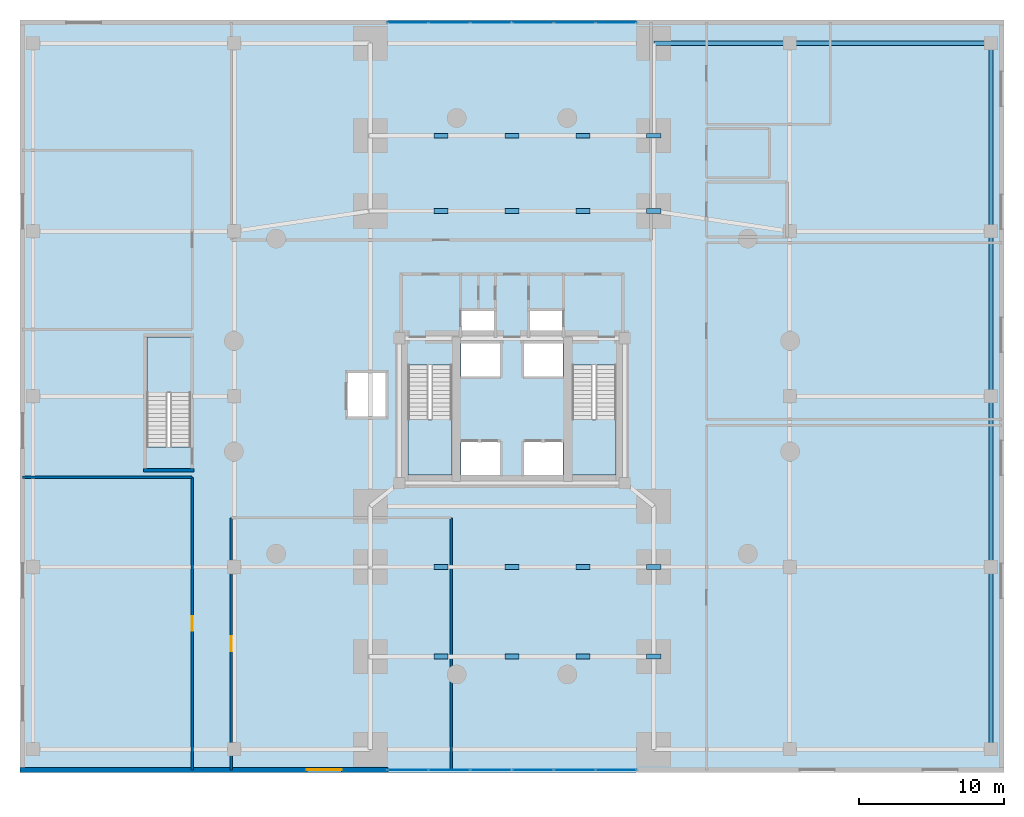
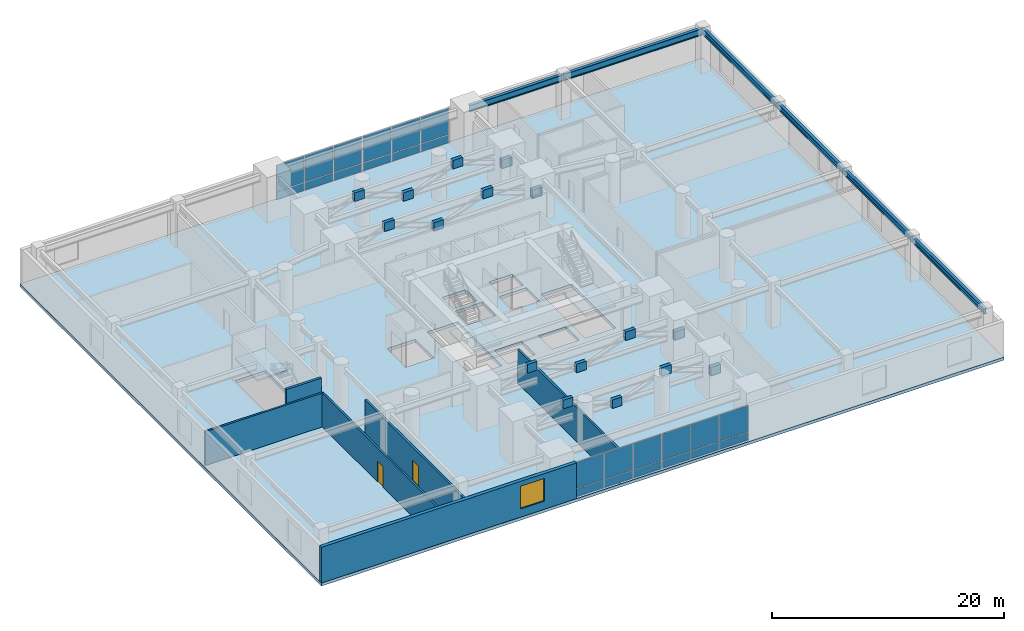
# One storey, part 13 of 17: 40 plates, 6 beams, 6 walls, 4 slabs, 2 doors, 1 window, 3 openings, 7 elements without a shape of their own.
"""IFC4 building model written with IfcOpenShell, lengths in metres."""

from ifc_helpers import new_model, si_unit, direction, frame, frame_2d, origin, origin_2d, place, context, subcontext, project, spatial, polyline, rectangle, i_section, outline, extrude, material, layer, layer_set, material_profile, profile_set, type_object, element, fill, aggregate, save


model = new_model("IFC4")

# Units and contexts
model_context = context("Model", 3, precision=1e-05, world=origin(), true_north=direction((0.0, 1.0)))
body_context = subcontext(model_context, "Body", "Model", "MODEL_VIEW")
ifc_project = project(units=[si_unit("LENGTHUNIT", "METRE"), si_unit("AREAUNIT", "SQUARE_METRE"), si_unit("VOLUMEUNIT", "CUBIC_METRE"), si_unit("PLANEANGLEUNIT", "RADIAN"), si_unit("MASSUNIT", "GRAM", prefix="KILO"), si_unit("THERMODYNAMICTEMPERATUREUNIT", "KELVIN"), si_unit("POWERUNIT", "WATT")], contexts=[model_context])

# Site, building, storey
site_placement = place(None, origin())
site = spatial("IfcSite", under=ifc_project, at=site_placement, CompositionType="ELEMENT")
building_placement = place(site_placement, origin())
building = spatial("IfcBuilding", under=site, at=building_placement, Name="Ocrelia Relay Tower", CompositionType="ELEMENT")
storey_placement = place(building_placement, frame((0.0, 0.0, 20.39990234375)))
storey = spatial("IfcBuildingStorey", under=building, at=storey_placement, Name="L04", CompositionType="ELEMENT", Elevation=20.39990234375)

# Beams
ifc_material_1 = material(Name="Steel S355", Category="steel")
ifc_material_profile_1 = material_profile(ifc_material_1, i_section(OverallWidth=0.300048828125, OverallDepth=0.60009765625, WebThickness=0.015380859375, FlangeThickness=0.030029296875, FilletRadius=0.027099609375, at=origin_2d()), Name="HEB 600")
ifc_profile_set_1 = profile_set([ifc_material_profile_1], Name="Steel S355")
beam_type_1 = type_object("IfcBeamType", Name="BM-HEB600", PredefinedType="BEAM", material=ifc_profile_set_1)
beam_1_placement = place(storey_placement, frame((67.10009765625, 1.60009765625, 4.18017578125), z_axis=(0.0, 1.0, 0.0), x_axis=(-1.0, 0.0, 0.0)))
element("IfcBeam", 1, at=beam_1_placement, inside=storey, type_object=beam_type_1, Name="L04 Podium Span Girder E-1", PredefinedType="BEAM", context=body_context, shape_type="SweptSolid", body=[
    extrude(i_section(OverallWidth=0.300048828125, OverallDepth=0.60009765625, WebThickness=0.015380859375, FlangeThickness=0.030029296875, FilletRadius=0.027099609375, at=origin_2d()), origin(), (0.0, 0.0, 1.0), 12.599853515625),
])
beam_2_placement = place(storey_placement, frame((67.10009765625, 14.199951171875, 4.18017578125), z_axis=(0.0, 1.0, 0.0), x_axis=(-1.0, 0.0, 0.0)))
element("IfcBeam", 2, at=beam_2_placement, inside=storey, type_object=beam_type_1, Name="L04 Podium Span Girder E-2", PredefinedType="BEAM", context=body_context, shape_type="SweptSolid", body=[
    extrude(i_section(OverallWidth=0.300048828125, OverallDepth=0.60009765625, WebThickness=0.015380859375, FlangeThickness=0.030029296875, FilletRadius=0.027099609375, at=origin_2d()), origin(), (0.0, 0.0, 1.0), 11.800048828125),
])
beam_3_placement = place(storey_placement, frame((67.10009765625, 26.0, 4.18017578125), z_axis=(0.0, 1.0, 0.0), x_axis=(-1.0, 0.0, 0.0)))
element("IfcBeam", 3, at=beam_3_placement, inside=storey, type_object=beam_type_1, Name="L04 Podium Span Girder E-3", PredefinedType="BEAM", context=body_context, shape_type="SweptSolid", body=[
    extrude(i_section(OverallWidth=0.300048828125, OverallDepth=0.60009765625, WebThickness=0.015380859375, FlangeThickness=0.030029296875, FilletRadius=0.027099609375, at=origin_2d()), origin(), (0.0, 0.0, 1.0), 11.39990234375),
])
beam_4_placement = place(storey_placement, frame((67.10009765625, 37.39990234375, 4.18017578125), z_axis=(0.0, 1.0, 0.0), x_axis=(-1.0, 0.0, 0.0)))
element("IfcBeam", 4, at=beam_4_placement, inside=storey, type_object=beam_type_1, Name="L04 Podium Span Girder E-4", PredefinedType="BEAM", context=body_context, shape_type="SweptSolid", body=[
    extrude(i_section(OverallWidth=0.300048828125, OverallDepth=0.60009765625, WebThickness=0.015380859375, FlangeThickness=0.030029296875, FilletRadius=0.027099609375, at=origin_2d()), origin(), (0.0, 0.0, 1.0), 13.0),
])
ifc_material_profile_2 = material_profile(ifc_material_1, i_section(OverallWidth=0.300048828125, OverallDepth=0.699951171875, WebThickness=0.01708984375, FlangeThickness=0.031982421875, FilletRadius=0.027099609375, at=origin_2d()), Name="HEB 700")
ifc_profile_set_2 = profile_set([ifc_material_profile_2], Name="Steel S355")
beam_type_2 = type_object("IfcBeamType", Name="BM-HEB700", PredefinedType="BEAM", material=ifc_profile_set_2)
beam_5_placement = place(storey_placement, frame((43.800048828125, 50.39990234375, 4.130126953125), z_axis=(1.0, 0.0, 0.0), x_axis=(0.0, 1.0, 0.0)))
element("IfcBeam", 5, at=beam_5_placement, inside=storey, type_object=beam_type_2, Name="L04 East Inner Podium Girder N", PredefinedType="BEAM", context=body_context, shape_type="SweptSolid", body=[
    extrude(i_section(OverallWidth=0.300048828125, OverallDepth=0.699951171875, WebThickness=0.01708984375, FlangeThickness=0.031982421875, FilletRadius=0.027099609375, at=origin_2d()), origin(), (0.0, 0.0, 1.0), 9.39990234375),
])
beam_6_placement = place(storey_placement, frame((53.199951171875, 50.39990234375, 4.130126953125), z_axis=(1.0, 0.0, 0.0), x_axis=(0.0, 1.0, 0.0)))
element("IfcBeam", 6, at=beam_6_placement, inside=storey, type_object=beam_type_2, Name="L04 East Outer Podium Girder N", PredefinedType="BEAM", context=body_context, shape_type="SweptSolid", body=[
    extrude(i_section(OverallWidth=0.300048828125, OverallDepth=0.699951171875, WebThickness=0.01708984375, FlangeThickness=0.031982421875, FilletRadius=0.027099609375, at=origin_2d()), origin(), (0.0, 0.0, 1.0), 13.900146484375),
])

# Curtain wall, plates
ifc_material_2 = material(Name="Aluminium and solar-control low-E glass", Category="aluminium")
ifc_layer_1 = layer(ifc_material_2, 0.179931640625, Name="Aluminium and solar-control low-E glass")
ifc_layer_set_1 = layer_set([ifc_layer_1], Name="Aluminium and solar-control low-E glass")
curtain_wall_type = type_object("IfcCurtainWallType", Name="CW-SYS-POD-GALL", PredefinedType="NOTDEFINED", material=ifc_layer_set_1)
curtain_wall_1_placement = place(storey_placement, origin())
curtain_wall_1 = element("IfcCurtainWall", 7, at=curtain_wall_1_placement, inside=storey, type_object=curtain_wall_type, Name="L04 South Over-Arch Curtain Wall West", PredefinedType="NOTDEFINED")
ifc_material_3 = material(Name="Clear double-glazed low-E glass", Category="glass")
ifc_layer_2 = layer(ifc_material_3, 0.031982421875, Name="Clear double-glazed low-E glass")
ifc_layer_set_2 = layer_set([ifc_layer_2], Name="Clear double-glazed low-E glass")
plate_type_1 = type_object("IfcPlateType", Name="CW-SYS-POD-GALL-PNL", PredefinedType="CURTAIN_PANEL", material=ifc_layer_set_2)
plate_1_placement = place(storey_placement, frame((26.80908203125, 0.179931640625, 0.06494140625), z_axis=(0.0, 0.0, 1.0), x_axis=(1.0, 0.0, 0.0)))
plate_1 = element("IfcPlate", 8, at=plate_1_placement, type_object=plate_type_1, Name="CW-PG panel 1.1", PredefinedType="CURTAIN_PANEL", context=body_context, shape_type="SweptSolid", body=[
    extrude(rectangle(XDim=2.7783203125, YDim=0.031982421875, at=origin_2d()), origin(), (0.0, 0.0, 1.0), 0.802490234375),
])
plate_2_placement = place(storey_placement, frame((26.80908203125, 0.179931640625, 0.9326171875), z_axis=(0.0, 0.0, 1.0), x_axis=(1.0, 0.0, 0.0)))
plate_2 = element("IfcPlate", 9, at=plate_2_placement, type_object=plate_type_1, Name="CW-PG panel 1.2", PredefinedType="CURTAIN_PANEL", context=body_context, shape_type="SweptSolid", body=[
    extrude(rectangle(XDim=2.7783203125, YDim=0.031982421875, at=origin_2d()), origin(), (0.0, 0.0, 1.0), 2.762451171875),
])
plate_3_placement = place(storey_placement, frame((29.675048828125, 0.179931640625, 0.06494140625), z_axis=(0.0, 0.0, 1.0), x_axis=(1.0, 0.0, 0.0)))
plate_3 = element("IfcPlate", 10, at=plate_3_placement, type_object=plate_type_1, Name="CW-PG panel 2.1", PredefinedType="CURTAIN_PANEL", context=body_context, shape_type="SweptSolid", body=[
    extrude(rectangle(XDim=2.813232421875, YDim=0.031982421875, at=origin_2d()), origin(), (0.0, 0.0, 1.0), 0.802490234375),
])
plate_4_placement = place(storey_placement, frame((29.675048828125, 0.179931640625, 0.9326171875), z_axis=(0.0, 0.0, 1.0), x_axis=(1.0, 0.0, 0.0)))
plate_4 = element("IfcPlate", 11, at=plate_4_placement, type_object=plate_type_1, Name="CW-PG panel 2.2", PredefinedType="CURTAIN_PANEL", context=body_context, shape_type="SweptSolid", body=[
    extrude(rectangle(XDim=2.813232421875, YDim=0.031982421875, at=origin_2d()), origin(), (0.0, 0.0, 1.0), 2.762451171875),
])
plate_5_placement = place(storey_placement, frame((32.540771484375, 0.179931640625, 0.06494140625), z_axis=(0.0, 0.0, 1.0), x_axis=(1.0, 0.0, 0.0)))
plate_5 = element("IfcPlate", 12, at=plate_5_placement, type_object=plate_type_1, Name="CW-PG panel 3.1", PredefinedType="CURTAIN_PANEL", context=body_context, shape_type="SweptSolid", body=[
    extrude(rectangle(XDim=2.7783203125, YDim=0.031982421875, at=origin_2d()), origin(), (0.0, 0.0, 1.0), 0.802490234375),
])
plate_6_placement = place(storey_placement, frame((32.540771484375, 0.179931640625, 0.9326171875), z_axis=(0.0, 0.0, 1.0), x_axis=(1.0, 0.0, 0.0)))
plate_6 = element("IfcPlate", 13, at=plate_6_placement, type_object=plate_type_1, Name="CW-PG panel 3.2", PredefinedType="CURTAIN_PANEL", context=body_context, shape_type="SweptSolid", body=[
    extrude(rectangle(XDim=2.7783203125, YDim=0.031982421875, at=origin_2d()), origin(), (0.0, 0.0, 1.0), 2.762451171875),
])
aggregate(curtain_wall_1, [plate_1, plate_2, plate_3, plate_4, plate_5, plate_6])

curtain_wall_2_placement = place(storey_placement, origin())
curtain_wall_2 = element("IfcCurtainWall", 14, at=curtain_wall_2_placement, inside=storey, type_object=curtain_wall_type, Name="L04 South Over-Arch Curtain Wall East", PredefinedType="NOTDEFINED")
plate_7_placement = place(storey_placement, frame((35.459228515625, 0.179931640625, 0.06494140625), z_axis=(0.0, 0.0, 1.0), x_axis=(1.0, 0.0, 0.0)))
plate_7 = element("IfcPlate", 15, at=plate_7_placement, type_object=plate_type_1, Name="CW-PG panel 1.1", PredefinedType="CURTAIN_PANEL", context=body_context, shape_type="SweptSolid", body=[
    extrude(rectangle(XDim=2.7783203125, YDim=0.031982421875, at=origin_2d()), origin(), (0.0, 0.0, 1.0), 0.802490234375),
])
plate_8_placement = place(storey_placement, frame((35.459228515625, 0.179931640625, 0.9326171875), z_axis=(0.0, 0.0, 1.0), x_axis=(1.0, 0.0, 0.0)))
plate_8 = element("IfcPlate", 16, at=plate_8_placement, type_object=plate_type_1, Name="CW-PG panel 1.2", PredefinedType="CURTAIN_PANEL", context=body_context, shape_type="SweptSolid", body=[
    extrude(rectangle(XDim=2.7783203125, YDim=0.031982421875, at=origin_2d()), origin(), (0.0, 0.0, 1.0), 2.762451171875),
])
plate_9_placement = place(storey_placement, frame((38.324951171875, 0.179931640625, 0.06494140625), z_axis=(0.0, 0.0, 1.0), x_axis=(1.0, 0.0, 0.0)))
plate_9 = element("IfcPlate", 17, at=plate_9_placement, type_object=plate_type_1, Name="CW-PG panel 2.1", PredefinedType="CURTAIN_PANEL", context=body_context, shape_type="SweptSolid", body=[
    extrude(rectangle(XDim=2.813232421875, YDim=0.031982421875, at=origin_2d()), origin(), (0.0, 0.0, 1.0), 0.802490234375),
])
plate_10_placement = place(storey_placement, frame((38.324951171875, 0.179931640625, 0.9326171875), z_axis=(0.0, 0.0, 1.0), x_axis=(1.0, 0.0, 0.0)))
plate_10 = element("IfcPlate", 18, at=plate_10_placement, type_object=plate_type_1, Name="CW-PG panel 2.2", PredefinedType="CURTAIN_PANEL", context=body_context, shape_type="SweptSolid", body=[
    extrude(rectangle(XDim=2.813232421875, YDim=0.031982421875, at=origin_2d()), origin(), (0.0, 0.0, 1.0), 2.762451171875),
])
plate_11_placement = place(storey_placement, frame((41.19091796875, 0.179931640625, 0.06494140625), z_axis=(0.0, 0.0, 1.0), x_axis=(1.0, 0.0, 0.0)))
plate_11 = element("IfcPlate", 19, at=plate_11_placement, type_object=plate_type_1, Name="CW-PG panel 3.1", PredefinedType="CURTAIN_PANEL", context=body_context, shape_type="SweptSolid", body=[
    extrude(rectangle(XDim=2.7783203125, YDim=0.031982421875, at=origin_2d()), origin(), (0.0, 0.0, 1.0), 0.802490234375),
])
plate_12_placement = place(storey_placement, frame((41.19091796875, 0.179931640625, 0.9326171875), z_axis=(0.0, 0.0, 1.0), x_axis=(1.0, 0.0, 0.0)))
plate_12 = element("IfcPlate", 20, at=plate_12_placement, type_object=plate_type_1, Name="CW-PG panel 3.2", PredefinedType="CURTAIN_PANEL", context=body_context, shape_type="SweptSolid", body=[
    extrude(rectangle(XDim=2.7783203125, YDim=0.031982421875, at=origin_2d()), origin(), (0.0, 0.0, 1.0), 2.762451171875),
])
aggregate(curtain_wall_2, [plate_7, plate_8, plate_9, plate_10, plate_11, plate_12])

curtain_wall_3_placement = place(storey_placement, origin())
curtain_wall_3 = element("IfcCurtainWall", 21, at=curtain_wall_3_placement, inside=storey, type_object=curtain_wall_type, Name="L04 North Over-Arch Curtain Wall West", PredefinedType="NOTDEFINED")
plate_13_placement = place(storey_placement, frame((26.80908203125, 51.820068359375, 0.06494140625), z_axis=(0.0, 0.0, 1.0), x_axis=(1.0, 0.0, 0.0)))
plate_13 = element("IfcPlate", 22, at=plate_13_placement, type_object=plate_type_1, Name="CW-PG panel 1.1", PredefinedType="CURTAIN_PANEL", context=body_context, shape_type="SweptSolid", body=[
    extrude(rectangle(XDim=2.7783203125, YDim=0.031982421875, at=origin_2d()), origin(), (0.0, 0.0, 1.0), 0.802490234375),
])
plate_14_placement = place(storey_placement, frame((26.80908203125, 51.820068359375, 0.9326171875), z_axis=(0.0, 0.0, 1.0), x_axis=(1.0, 0.0, 0.0)))
plate_14 = element("IfcPlate", 23, at=plate_14_placement, type_object=plate_type_1, Name="CW-PG panel 1.2", PredefinedType="CURTAIN_PANEL", context=body_context, shape_type="SweptSolid", body=[
    extrude(rectangle(XDim=2.7783203125, YDim=0.031982421875, at=origin_2d()), origin(), (0.0, 0.0, 1.0), 2.762451171875),
])
plate_15_placement = place(storey_placement, frame((29.675048828125, 51.820068359375, 0.06494140625), z_axis=(0.0, 0.0, 1.0), x_axis=(1.0, 0.0, 0.0)))
plate_15 = element("IfcPlate", 24, at=plate_15_placement, type_object=plate_type_1, Name="CW-PG panel 2.1", PredefinedType="CURTAIN_PANEL", context=body_context, shape_type="SweptSolid", body=[
    extrude(rectangle(XDim=2.813232421875, YDim=0.031982421875, at=origin_2d()), origin(), (0.0, 0.0, 1.0), 0.802490234375),
])
plate_16_placement = place(storey_placement, frame((29.675048828125, 51.820068359375, 0.9326171875), z_axis=(0.0, 0.0, 1.0), x_axis=(1.0, 0.0, 0.0)))
plate_16 = element("IfcPlate", 25, at=plate_16_placement, type_object=plate_type_1, Name="CW-PG panel 2.2", PredefinedType="CURTAIN_PANEL", context=body_context, shape_type="SweptSolid", body=[
    extrude(rectangle(XDim=2.813232421875, YDim=0.031982421875, at=origin_2d()), origin(), (0.0, 0.0, 1.0), 2.762451171875),
])
plate_17_placement = place(storey_placement, frame((32.540771484375, 51.820068359375, 0.06494140625), z_axis=(0.0, 0.0, 1.0), x_axis=(1.0, 0.0, 0.0)))
plate_17 = element("IfcPlate", 26, at=plate_17_placement, type_object=plate_type_1, Name="CW-PG panel 3.1", PredefinedType="CURTAIN_PANEL", context=body_context, shape_type="SweptSolid", body=[
    extrude(rectangle(XDim=2.7783203125, YDim=0.031982421875, at=origin_2d()), origin(), (0.0, 0.0, 1.0), 0.802490234375),
])
plate_18_placement = place(storey_placement, frame((32.540771484375, 51.820068359375, 0.9326171875), z_axis=(0.0, 0.0, 1.0), x_axis=(1.0, 0.0, 0.0)))
plate_18 = element("IfcPlate", 27, at=plate_18_placement, type_object=plate_type_1, Name="CW-PG panel 3.2", PredefinedType="CURTAIN_PANEL", context=body_context, shape_type="SweptSolid", body=[
    extrude(rectangle(XDim=2.7783203125, YDim=0.031982421875, at=origin_2d()), origin(), (0.0, 0.0, 1.0), 2.762451171875),
])
aggregate(curtain_wall_3, [plate_13, plate_14, plate_15, plate_16, plate_17, plate_18])

curtain_wall_4_placement = place(storey_placement, origin())
curtain_wall_4 = element("IfcCurtainWall", 28, at=curtain_wall_4_placement, inside=storey, type_object=curtain_wall_type, Name="L04 North Over-Arch Curtain Wall East", PredefinedType="NOTDEFINED")
plate_19_placement = place(storey_placement, frame((35.459228515625, 51.820068359375, 0.06494140625), z_axis=(0.0, 0.0, 1.0), x_axis=(1.0, 0.0, 0.0)))
plate_19 = element("IfcPlate", 29, at=plate_19_placement, type_object=plate_type_1, Name="CW-PG panel 1.1", PredefinedType="CURTAIN_PANEL", context=body_context, shape_type="SweptSolid", body=[
    extrude(rectangle(XDim=2.7783203125, YDim=0.031982421875, at=origin_2d()), origin(), (0.0, 0.0, 1.0), 0.802490234375),
])
plate_20_placement = place(storey_placement, frame((35.459228515625, 51.820068359375, 0.9326171875), z_axis=(0.0, 0.0, 1.0), x_axis=(1.0, 0.0, 0.0)))
plate_20 = element("IfcPlate", 30, at=plate_20_placement, type_object=plate_type_1, Name="CW-PG panel 1.2", PredefinedType="CURTAIN_PANEL", context=body_context, shape_type="SweptSolid", body=[
    extrude(rectangle(XDim=2.7783203125, YDim=0.031982421875, at=origin_2d()), origin(), (0.0, 0.0, 1.0), 2.762451171875),
])
plate_21_placement = place(storey_placement, frame((38.324951171875, 51.820068359375, 0.06494140625), z_axis=(0.0, 0.0, 1.0), x_axis=(1.0, 0.0, 0.0)))
plate_21 = element("IfcPlate", 31, at=plate_21_placement, type_object=plate_type_1, Name="CW-PG panel 2.1", PredefinedType="CURTAIN_PANEL", context=body_context, shape_type="SweptSolid", body=[
    extrude(rectangle(XDim=2.813232421875, YDim=0.031982421875, at=origin_2d()), origin(), (0.0, 0.0, 1.0), 0.802490234375),
])
plate_22_placement = place(storey_placement, frame((38.324951171875, 51.820068359375, 0.9326171875), z_axis=(0.0, 0.0, 1.0), x_axis=(1.0, 0.0, 0.0)))
plate_22 = element("IfcPlate", 32, at=plate_22_placement, type_object=plate_type_1, Name="CW-PG panel 2.2", PredefinedType="CURTAIN_PANEL", context=body_context, shape_type="SweptSolid", body=[
    extrude(rectangle(XDim=2.813232421875, YDim=0.031982421875, at=origin_2d()), origin(), (0.0, 0.0, 1.0), 2.762451171875),
])
plate_23_placement = place(storey_placement, frame((41.19091796875, 51.820068359375, 0.06494140625), z_axis=(0.0, 0.0, 1.0), x_axis=(1.0, 0.0, 0.0)))
plate_23 = element("IfcPlate", 33, at=plate_23_placement, type_object=plate_type_1, Name="CW-PG panel 3.1", PredefinedType="CURTAIN_PANEL", context=body_context, shape_type="SweptSolid", body=[
    extrude(rectangle(XDim=2.7783203125, YDim=0.031982421875, at=origin_2d()), origin(), (0.0, 0.0, 1.0), 0.802490234375),
])
plate_24_placement = place(storey_placement, frame((41.19091796875, 51.820068359375, 0.9326171875), z_axis=(0.0, 0.0, 1.0), x_axis=(1.0, 0.0, 0.0)))
plate_24 = element("IfcPlate", 34, at=plate_24_placement, type_object=plate_type_1, Name="CW-PG panel 3.2", PredefinedType="CURTAIN_PANEL", context=body_context, shape_type="SweptSolid", body=[
    extrude(rectangle(XDim=2.7783203125, YDim=0.031982421875, at=origin_2d()), origin(), (0.0, 0.0, 1.0), 2.762451171875),
])
aggregate(curtain_wall_4, [plate_19, plate_20, plate_21, plate_22, plate_23, plate_24])

# Plates
ifc_layer_3 = layer(ifc_material_1, 0.035888671875, Name="Steel S355")
ifc_layer_set_3 = layer_set([ifc_layer_3], Name="Steel S355")
plate_type_2 = type_object("IfcPlateType", Name="PL-NODE-ND-02", PredefinedType="USERDEFINED", material=ifc_layer_set_3)
for number, where, z_axis, x_axis, name in (
    (35, (29.10009765625, 8.0, 3.580078125), (0.0, 0.0, 1.0), (1.0, 0.0, 0.0), "L04 Warren Truss Node Plate ND-02 (S-1)"),
    (36, (34.0, 8.0, 1.900146484375), (0.0, 0.0, 1.0), (1.0, 0.0, 0.0), "L04 Warren Truss Node Plate ND-02 (S-2)"),
    (37, (38.89990234375, 8.0, 3.580078125), (0.0, 0.0, 1.0), (1.0, 0.0, 0.0), "L04 Warren Truss Node Plate ND-02 (S-3)"),
    (38, (43.800048828125, 8.0, 1.900146484375), (0.0, 0.0, 1.0), (1.0, 0.0, 0.0), "L04 Warren Truss Node Plate ND-02 (S-4)"),
    (39, (29.10009765625, 14.199951171875, 3.580078125), (0.0, 0.0, 1.0), (1.0, 0.0, 0.0), "L04 Warren Truss Node Plate ND-02 (SI-1)"),
    (40, (34.0, 14.199951171875, 1.900146484375), (0.0, 0.0, 1.0), (1.0, 0.0, 0.0), "L04 Warren Truss Node Plate ND-02 (SI-2)"),
    (41, (38.89990234375, 14.199951171875, 3.580078125), (0.0, 0.0, 1.0), (1.0, 0.0, 0.0), "L04 Warren Truss Node Plate ND-02 (SI-3)"),
    (42, (43.800048828125, 14.199951171875, 1.900146484375), (0.0, 0.0, 1.0), (1.0, 0.0, 0.0), "L04 Warren Truss Node Plate ND-02 (SI-4)"),
    (43, (29.10009765625, 38.800048828125, 3.580078125), (0.0, 0.0, 1.0), (1.0, 0.0, 0.0), "L04 Warren Truss Node Plate ND-02 (NI-1)"),
    (44, (34.0, 38.800048828125, 1.900146484375), (0.0, 0.0, 1.0), (1.0, 0.0, 0.0), "L04 Warren Truss Node Plate ND-02 (NI-2)"),
    (45, (38.89990234375, 38.800048828125, 3.580078125), (0.0, 0.0, 1.0), (1.0, 0.0, 0.0), "L04 Warren Truss Node Plate ND-02 (NI-3)"),
    (46, (43.800048828125, 38.800048828125, 1.900146484375), (0.0, 0.0, 1.0), (1.0, 0.0, 0.0), "L04 Warren Truss Node Plate ND-02 (NI-4)"),
    (47, (29.10009765625, 44.0, 3.580078125), (0.0, 0.0, 1.0), (1.0, 0.0, 0.0), "L04 Warren Truss Node Plate ND-02 (N-1)"),
    (48, (34.0, 44.0, 1.900146484375), (0.0, 0.0, 1.0), (1.0, 0.0, 0.0), "L04 Warren Truss Node Plate ND-02 (N-2)"),
    (49, (38.89990234375, 44.0, 3.580078125), (0.0, 0.0, 1.0), (1.0, 0.0, 0.0), "L04 Warren Truss Node Plate ND-02 (N-3)"),
    (50, (43.800048828125, 44.0, 1.900146484375), (0.0, 0.0, 1.0), (1.0, 0.0, 0.0), "L04 Warren Truss Node Plate ND-02 (N-4)"),
):
    element("IfcPlate", number, at=place(storey_placement, frame(where, z_axis=z_axis, x_axis=x_axis)), inside=storey, type_object=plate_type_2, Name=name, ObjectType="GUSSET PLATE", PredefinedType="USERDEFINED", context=body_context, shape_type="SweptSolid", body=[
        extrude(rectangle(XDim=0.97998046875, YDim=0.340087890625, at=origin_2d()), origin(), (0.0, 0.0, 1.0), 0.89990234375),
    ])

# Slab
ifc_material_4 = material(Name="Concrete C50/60", Category="concrete")
ifc_layer_4 = layer(ifc_material_4, 0.320068359375, Name="Concrete C50/60")
ifc_layer_set_4 = layer_set([ifc_layer_4], Name="Concrete C50/60")
slab_type_1 = type_object("IfcSlabType", Name="SL-FLR-320", PredefinedType="FLOOR", material=ifc_layer_set_4)
slab_1_placement = place(storey_placement, frame((0.0, 0.0, -0.31982421875)))
element("IfcSlab", 51, at=slab_1_placement, inside=storey, type_object=slab_type_1, Name="L04 Podium Structural Slab", PredefinedType="FLOOR", context=body_context, shape_type="SweptSolid", body=[
    extrude(outline(polyline([(0.0, 0.0), (68.0, 0.0), (68.0, 52.0), (0.0, 52.0), (0.0, 0.0)]), holes=[polyline([(26.81005859375, 28.14990234375), (26.81005859375, 20.550048828125), (29.85009765625, 20.550048828125), (29.85009765625, 28.14990234375), (26.81005859375, 28.14990234375)]), polyline([(38.159912109375, 28.14990234375), (38.159912109375, 20.550048828125), (41.199951171875, 20.550048828125), (41.199951171875, 28.14990234375), (38.159912109375, 28.14990234375)]), polyline([(11.800048828125, 22.5), (11.800048828125, 30.10009765625), (8.760009765625, 30.10009765625), (8.760009765625, 22.5), (11.800048828125, 22.5)]), polyline([(30.4599609375, 20.550048828125), (33.159912109375, 20.550048828125), (33.159912109375, 22.85009765625), (30.4599609375, 22.85009765625), (30.4599609375, 20.550048828125)]), polyline([(34.840087890625, 20.550048828125), (37.5400390625, 20.550048828125), (37.5400390625, 22.85009765625), (34.840087890625, 22.85009765625), (34.840087890625, 20.550048828125)]), polyline([(30.4599609375, 27.35009765625), (33.159912109375, 27.35009765625), (33.159912109375, 29.64990234375), (30.4599609375, 29.64990234375), (30.4599609375, 27.35009765625)]), polyline([(34.840087890625, 27.35009765625), (37.5400390625, 27.35009765625), (37.5400390625, 29.64990234375), (34.840087890625, 29.64990234375), (34.840087890625, 27.35009765625)]), polyline([(30.5, 30.10009765625), (32.85009765625, 30.10009765625), (32.85009765625, 32.0), (30.5, 32.0), (30.5, 30.10009765625)]), polyline([(35.14990234375, 30.10009765625), (37.5, 30.10009765625), (37.5, 32.0), (35.14990234375, 32.0), (35.14990234375, 30.10009765625)]), polyline([(22.550048828125, 24.5), (25.35009765625, 24.5), (25.35009765625, 27.699951171875), (22.550048828125, 27.699951171875), (22.550048828125, 24.5)])]), origin(), (0.0, 0.0, 1.0), 0.31982421875),
])

# Stair, slab
stair_type = type_object("IfcStairType", Name="ST-DL-1420-R171", PredefinedType="HALF_TURN_STAIR", material=ifc_material_4)
stair_1_placement = place(storey_placement, origin())
stair_1 = element("IfcStair", 52, at=stair_1_placement, inside=storey, type_object=stair_type, Name="L04 West Core Exit Stair ST1", PredefinedType="HALF_TURN_STAIR")
ifc_layer_5 = layer(ifc_material_4, 0.199951171875, Name="Concrete C50/60")
ifc_layer_set_5 = layer_set([ifc_layer_5], Name="Concrete C50/60")
slab_type_2 = type_object("IfcSlabType", Name="SL-LANDING-200", PredefinedType="LANDING", material=ifc_layer_set_5)
slab_2_placement = place(storey_placement, frame((0.0, 0.0, 2.2001953125)))
slab_2 = element("IfcSlab", 53, at=slab_2_placement, type_object=slab_type_2, Name="ST1 landing 1", PredefinedType="LANDING", context=body_context, shape_type="SweptSolid", body=[
    extrude(outline(polyline([(26.81005859375, 24.3798828125), (26.81005859375, 20.550048828125), (29.85009765625, 20.550048828125), (29.85009765625, 24.3798828125), (26.81005859375, 24.3798828125)])), origin(), (0.0, 0.0, 1.0), 0.199951171875),
])
aggregate(stair_1, [slab_2])

stair_2_placement = place(storey_placement, origin())
stair_2 = element("IfcStair", 54, at=stair_2_placement, inside=storey, type_object=stair_type, Name="L04 East Core Exit Stair ST2", PredefinedType="HALF_TURN_STAIR")
slab_3_placement = place(storey_placement, frame((0.0, 0.0, 2.2001953125)))
slab_3 = element("IfcSlab", 55, at=slab_3_placement, type_object=slab_type_2, Name="ST2 landing 1", PredefinedType="LANDING", context=body_context, shape_type="SweptSolid", body=[
    extrude(outline(polyline([(38.159912109375, 24.3798828125), (38.159912109375, 20.550048828125), (41.199951171875, 20.550048828125), (41.199951171875, 24.3798828125), (38.159912109375, 24.3798828125)])), origin(), (0.0, 0.0, 1.0), 0.199951171875),
])
aggregate(stair_2, [slab_3])

stair_3_placement = place(storey_placement, origin())
stair_3 = element("IfcStair", 56, at=stair_3_placement, inside=storey, type_object=stair_type, Name="L04 Podium West Exit Stair ST3", PredefinedType="HALF_TURN_STAIR")
slab_4_placement = place(storey_placement, frame((0.0, 0.0, 2.2001953125)))
slab_4 = element("IfcSlab", 57, at=slab_4_placement, type_object=slab_type_2, Name="ST3 landing 1", PredefinedType="LANDING", context=body_context, shape_type="SweptSolid", body=[
    extrude(outline(polyline([(11.800048828125, 26.27001953125), (11.800048828125, 30.10009765625), (8.760009765625, 30.10009765625), (8.760009765625, 26.27001953125), (11.800048828125, 26.27001953125)])), origin(), (0.0, 0.0, 1.0), 0.199951171875),
])
aggregate(stair_3, [slab_4])

# Wall
ifc_layer_6 = layer(ifc_material_4, 0.239990234375, Name="Concrete C50/60")
ifc_layer_set_6 = layer_set([ifc_layer_6], Name="Concrete C50/60")
wall_type_1 = type_object("IfcWallType", Name="CW-STAIR-240", PredefinedType="SHEAR", material=ifc_layer_set_6)
wall_1_placement = place(storey_placement, frame((8.531982421875, 20.89208984375, 0.0), z_axis=(0.0, 0.0, 1.0), x_axis=(1.0, 0.0, 0.0)))
element("IfcWall", 58, at=wall_1_placement, inside=storey, type_object=wall_type_1, Name="L04 Stair ST3 Structural Shaft S Wall", PredefinedType="SHEAR", context=body_context, shape_type="SweptSolid", body=[
    extrude(rectangle(XDim=3.49609375, YDim=0.239990234375, at=frame_2d((1.748046875, 0.0))), origin(), (0.0, 0.0, 1.0), 4.800048828125),
])

# Wall, opening, door
ifc_material_5 = material(Name="Gypsum Fireboard Partition EI60", Category="gypsum")
ifc_layer_7 = layer(ifc_material_5, 0.179931640625, Name="Gypsum Fireboard Partition EI60")
ifc_layer_set_7 = layer_set([ifc_layer_7], Name="Gypsum Fireboard Partition EI60")
wall_type_2 = type_object("IfcWallType", Name="W-CORR-EI60-180", PredefinedType="PARTITIONING", material=ifc_layer_set_7)
wall_2_placement = place(storey_placement, frame((11.89990234375, 0.179931640625, 0.0), z_axis=(0.0, 0.0, 1.0), x_axis=(0.0, 1.0, 0.0)))
wall_2 = element("IfcWall", 59, at=wall_2_placement, inside=storey, type_object=wall_type_2, Name="L04 Staff Dining Canteen E Partition", PredefinedType="PARTITIONING", context=body_context, shape_type="SweptSolid", body=[
    extrude(rectangle(XDim=20.219970703125, YDim=0.179931640625, at=frame_2d((10.10986328125, 0.0))), origin(), (0.0, 0.0, 1.0), 3.56005859375),
])
opening_1_placement = place(wall_2_placement, frame((9.610107421875, 0.0, 0.0)))
opening_1 = element("IfcOpeningElement", 60, at=opening_1_placement, cuts=wall_2, Name="Opening D-RM100", PredefinedType="OPENING", context=body_context, shape_type="SweptSolid", body=[
    extrude(rectangle(XDim=1.0, YDim=2.14990234375, at=frame_2d((0.5, 1.074951171875))), frame((0.0, 0.10009765625, 0.0), z_axis=(0.0, -1.0, 0.0), x_axis=(1.0, 0.0, 0.0)), (0.0, 0.0, 1.0), 0.199951171875),
])
ifc_material_6 = material(Name="Acoustic oak veneer fire door", Category="wood")
door_type_1 = type_object("IfcDoorType", Name="DR-ROOM-FD60-1000", OperationType="NOTDEFINED", PredefinedType="DOOR", material=ifc_material_6)
door_1_placement = place(opening_1_placement, origin())
door_1 = element("IfcDoor", 61, at=door_1_placement, inside=storey, type_object=door_type_1, Name="L04 Staff Dining Canteen Door", OperationType="SINGLE_SWING_RIGHT", OverallHeight=2.14990234375, OverallWidth=1.0, PredefinedType="DOOR", context=body_context, shape_type="SweptSolid", body=[
    extrude(rectangle(XDim=1.0, YDim=2.14990234375, at=frame_2d((0.5, 1.074951171875))), frame((0.0, 0.02490234375, 0.0), z_axis=(0.0, -1.0, 0.0), x_axis=(1.0, 0.0, 0.0)), (0.0, 0.0, 1.0), 0.050048828125),
])
fill(opening_1, door_1)

# Wall
wall_3_placement = place(storey_placement, frame((11.89990234375, 20.39990234375, 0.0), z_axis=(0.0, 0.0, 1.0), x_axis=(-1.0, 0.0, 0.0)))
element("IfcWall", 62, at=wall_3_placement, inside=storey, type_object=wall_type_2, Name="L04 Staff Dining Canteen N Partition", PredefinedType="PARTITIONING", context=body_context, shape_type="SweptSolid", body=[
    extrude(rectangle(XDim=11.719970703125, YDim=0.179931640625, at=frame_2d((5.85986328125, 0.0))), origin(), (0.0, 0.0, 1.0), 3.56005859375),
])

# Wall, opening, window
ifc_material_7 = material(Name="Precast concrete C40/50 with oxide terracotta", Category="masonry")
ifc_layer_8 = layer(ifc_material_7, 0.35009765625, Name="Precast concrete C40/50 with oxide terracotta")
ifc_layer_set_8 = layer_set([ifc_layer_8], Name="Precast concrete C40/50 with oxide terracotta")
wall_type_3 = type_object("IfcWallType", Name="W-EXT-POD-350", PredefinedType="SOLIDWALL", material=ifc_layer_set_8)
wall_4_placement = place(storey_placement, frame((25.429931640625, 0.179931640625, 0.0), z_axis=(0.0, 0.0, 1.0), x_axis=(-1.0, 0.0, 0.0)))
wall_4 = element("IfcWall", 63, at=wall_4_placement, inside=storey, type_object=wall_type_3, Name="L04 Oxide Terracotta Podium Wall WS", PredefinedType="SOLIDWALL", context=body_context, shape_type="SweptSolid", body=[
    extrude(rectangle(XDim=25.419921875, YDim=0.35009765625, at=frame_2d((12.7099609375, 0.0))), origin(), (0.0, 0.0, 1.0), 3.760009765625),
])
opening_2_placement = place(wall_4_placement, frame((3.199951171875, 0.0, 0.85009765625)))
opening_2 = element("IfcOpeningElement", 64, at=opening_2_placement, cuts=wall_4, Name="Opening W-01", PredefinedType="OPENING", context=body_context, shape_type="SweptSolid", body=[
    extrude(rectangle(XDim=2.39990234375, YDim=2.39990234375, at=frame_2d((1.199951171875, 1.199951171875))), frame((0.0, 0.18505859375, 0.0), z_axis=(0.0, -1.0, 0.0), x_axis=(1.0, 0.0, 0.0)), (0.0, 0.0, 1.0), 0.3701171875),
])
window_type = type_object("IfcWindowType", Name="WIN-POD-2400x2600", PartitioningType="SINGLE_PANEL", PredefinedType="WINDOW", material=ifc_material_3)
window_placement = place(opening_2_placement, origin())
window = element("IfcWindow", 65, at=window_placement, inside=storey, type_object=window_type, Name="L04 Podium Punched Window WS-1", OverallHeight=2.39990234375, OverallWidth=2.39990234375, PartitioningType="SINGLE_PANEL", PredefinedType="WINDOW", context=body_context, shape_type="SweptSolid", body=[
    extrude(rectangle(XDim=2.39990234375, YDim=2.39990234375, at=frame_2d((1.199951171875, 1.199951171875))), frame((0.0, 0.030029296875, 0.0), z_axis=(0.0, -1.0, 0.0), x_axis=(1.0, 0.0, 0.0)), (0.0, 0.0, 1.0), 0.06005859375),
])
fill(opening_2, window)

# Wall, opening, door
ifc_layer_9 = layer(ifc_material_4, 0.199951171875, Name="Concrete C50/60")
ifc_layer_set_9 = layer_set([ifc_layer_9], Name="Concrete C50/60")
wall_type_4 = type_object("IfcWallType", Name="W-SHAFT-EI120-200", PredefinedType="SOLIDWALL", material=ifc_layer_set_9)
wall_5_placement = place(storey_placement, frame((14.60009765625, 17.60009765625, 0.0), z_axis=(0.0, 0.0, 1.0), x_axis=(0.0, -1.0, 0.0)))
wall_5 = element("IfcWall", 66, at=wall_5_placement, inside=storey, type_object=wall_type_4, Name="L04 Transfer Truss Chilled Water Plant Room W Partition", PredefinedType="SOLIDWALL", context=body_context, shape_type="SweptSolid", body=[
    extrude(rectangle(XDim=17.420166015625, YDim=0.199951171875, at=frame_2d((8.7099609375, 0.0))), origin(), (0.0, 0.0, 1.0), 3.56005859375),
])
opening_3_placement = place(wall_5_placement, frame((8.18505859375, 0.0, 0.0)))
opening_3 = element("IfcOpeningElement", 67, at=opening_3_placement, cuts=wall_5, Name="Opening D-FD90", PredefinedType="OPENING", context=body_context, shape_type="SweptSolid", body=[
    extrude(rectangle(XDim=1.050048828125, YDim=2.14990234375, at=frame_2d((0.52490234375, 1.074951171875))), frame((0.0, 0.10986328125, 0.0), z_axis=(0.0, -1.0, 0.0), x_axis=(1.0, 0.0, 0.0)), (0.0, 0.0, 1.0), 0.219970703125),
])
ifc_material_8 = material(Name="Steel S355 90-min fire door", Category="steel")
door_type_2 = type_object("IfcDoorType", Name="DR-STAIR-FD90-1050", OperationType="NOTDEFINED", PredefinedType="DOOR", material=ifc_material_8)
door_2_placement = place(opening_3_placement, origin())
door_2 = element("IfcDoor", 68, at=door_2_placement, inside=storey, type_object=door_type_2, Name="L04 Transfer Truss Chilled Water Plant Room Door", OperationType="SINGLE_SWING_RIGHT", OverallHeight=2.14990234375, OverallWidth=1.050048828125, PredefinedType="DOOR", context=body_context, shape_type="SweptSolid", body=[
    extrude(rectangle(XDim=1.050048828125, YDim=2.14990234375, at=frame_2d((0.52490234375, 1.074951171875))), frame((0.0, 0.02490234375, 0.0), z_axis=(0.0, -1.0, 0.0), x_axis=(1.0, 0.0, 0.0)), (0.0, 0.0, 1.0), 0.050048828125),
])
fill(opening_3, door_2)

# Wall
wall_6_placement = place(storey_placement, frame((29.800048828125, 0.179931640625, 0.0), z_axis=(0.0, 0.0, 1.0), x_axis=(0.0, 1.0, 0.0)))
element("IfcWall", 69, at=wall_6_placement, inside=storey, type_object=wall_type_4, Name="L04 Transfer Truss Chilled Water Plant Room E Partition", PredefinedType="SOLIDWALL", context=body_context, shape_type="SweptSolid", body=[
    extrude(rectangle(XDim=17.420166015625, YDim=0.199951171875, at=frame_2d((8.7099609375, 0.0))), origin(), (0.0, 0.0, 1.0), 3.56005859375),
])

save(model, "model.ifc")
